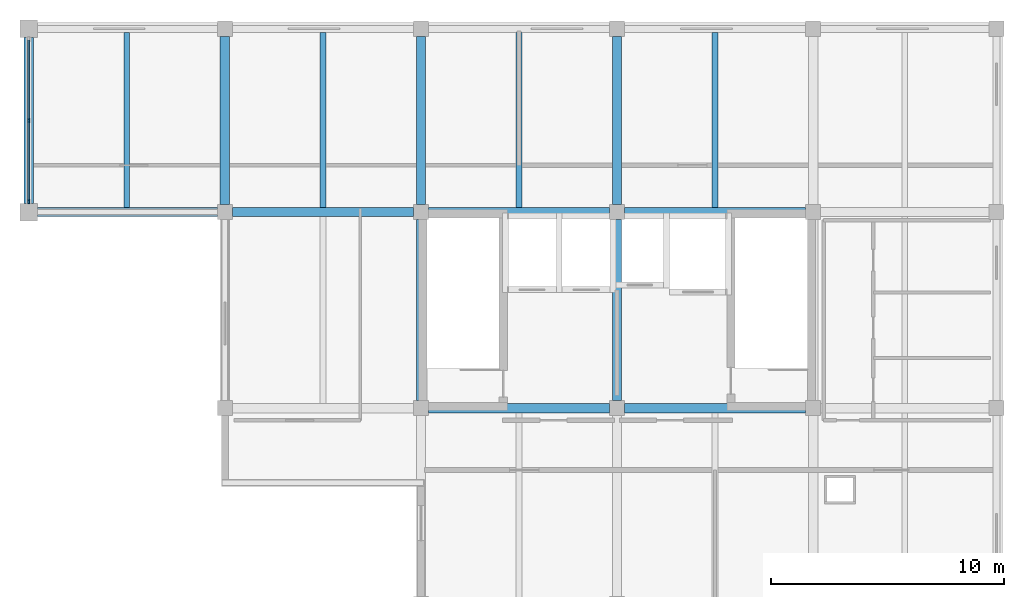
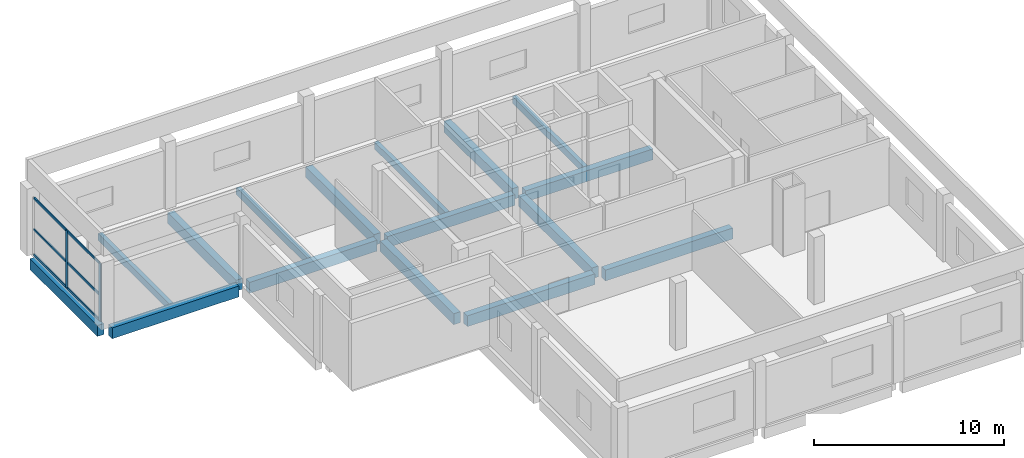
# One storey, part 2 of 8: 16 beams, 8 members, 1 element without a shape of its own.
"""IFC4 building model written with IfcOpenShell, lengths in metres."""

from ifc_helpers import new_model, si_unit, direction, frame, origin, origin_2d, place, context, subcontext, project, spatial, rectangle, extrude, material, material_profile, profile_set, type_object, element, aggregate, save


model = new_model("IFC4")

# Units and contexts
model_context = context("Model", 3, precision=1e-05, world=origin(), true_north=direction((0.0, 1.0)))
body_context = subcontext(model_context, "Body", "Model", "MODEL_VIEW")
ifc_project = project(units=[si_unit("LENGTHUNIT", "METRE"), si_unit("AREAUNIT", "SQUARE_METRE"), si_unit("VOLUMEUNIT", "CUBIC_METRE"), si_unit("PLANEANGLEUNIT", "RADIAN"), si_unit("MASSUNIT", "GRAM", prefix="KILO")], contexts=[model_context])

# Site, building, storey
site_placement = place(None, origin())
site = spatial("IfcSite", under=ifc_project, at=site_placement, CompositionType="ELEMENT")
building_placement = place(site_placement, origin())
building = spatial("IfcBuilding", under=site, at=building_placement, Name="Brinegate Botanical Conservatory", CompositionType="ELEMENT")
storey_placement = place(building_placement, frame((0.0, 0.0, 65.699951171875)))
storey = spatial("IfcBuildingStorey", under=building, at=storey_placement, Name="L16", CompositionType="ELEMENT", Elevation=65.699951171875)

# Beams
ifc_material_1 = material(Name="Concrete C40/50", Category="concrete")
ifc_material_profile_1 = material_profile(ifc_material_1, rectangle(XDim=0.39990234375, YDim=0.699951171875, at=origin_2d()), Name="RC BM 400x700")
ifc_profile_set_1 = profile_set([ifc_material_profile_1], Name="Concrete C40/50")
beam_type_1 = type_object("IfcBeamType", Name="Beam_BM-T2", PredefinedType="BEAM", material=ifc_profile_set_1)
for number, where, z_axis, x_axis, name in (
    (1, (139.125, 95.199951171875, -0.570068359375), (1.0, 0.0, 0.0), (0.0, 1.0, 0.0), "Beam BM-T2 L16 M:18-19"),
    (2, (147.52490234375, 95.199951171875, -0.570068359375), (1.0, 0.0, 0.0), (0.0, 1.0, 0.0), "Beam BM-T2 L16 M:19-20"),
):
    element("IfcBeam", number, at=place(storey_placement, frame(where, z_axis=z_axis, x_axis=x_axis)), inside=storey, type_object=beam_type_1, Name=name, PredefinedType="BEAM", context=body_context, shape_type="SweptSolid", body=[
        extrude(rectangle(XDim=0.39990234375, YDim=0.699951171875, at=origin_2d()), origin(), (0.0, 0.0, 1.0), 7.75),
    ])
beam_1_placement = place(storey_placement, frame((122.375, 103.60009765625, -0.570068359375), z_axis=(1.0, 0.0, 0.0), x_axis=(0.0, 1.0, 0.0)))
element("IfcBeam", 3, at=beam_1_placement, inside=storey, type_object=beam_type_1, Name="Beam BM-T2 L16 N:16-17", PredefinedType="BEAM", context=body_context, shape_type="SweptSolid", body=[
    extrude(rectangle(XDim=0.39990234375, YDim=0.699951171875, at=origin_2d()), origin(), (0.0, 0.0, 1.0), 7.699951171875),
])
for number, where, z_axis, x_axis, name in (
    (4, (130.72509765625, 103.60009765625, -0.570068359375), (1.0, 0.0, 0.0), (0.0, 1.0, 0.0), "Beam BM-T2 L16 N:17-18"),
    (5, (139.125, 103.60009765625, -0.570068359375), (1.0, 0.0, 0.0), (0.0, 1.0, 0.0), "Beam BM-T2 L16 N:18-19"),
    (6, (147.52490234375, 103.60009765625, -0.570068359375), (1.0, 0.0, 0.0), (0.0, 1.0, 0.0), "Beam BM-T2 L16 N:19-20"),
):
    element("IfcBeam", number, at=place(storey_placement, frame(where, z_axis=z_axis, x_axis=x_axis)), inside=storey, type_object=beam_type_1, Name=name, PredefinedType="BEAM", context=body_context, shape_type="SweptSolid", body=[
        extrude(rectangle(XDim=0.39990234375, YDim=0.699951171875, at=origin_2d()), origin(), (0.0, 0.0, 1.0), 7.75),
    ])
beam_2_placement = place(storey_placement, frame((122.0, 103.97509765625, -0.570068359375), z_axis=(0.0, 1.0, 0.0), x_axis=(-1.0, 0.0, 0.0)))
element("IfcBeam", 7, at=beam_2_placement, inside=storey, type_object=beam_type_1, Name="Beam BM-T2 L16 16:N-P", PredefinedType="BEAM", context=body_context, shape_type="SweptSolid", body=[
    extrude(rectangle(XDim=0.39990234375, YDim=0.699951171875, at=origin_2d()), origin(), (0.0, 0.0, 1.0), 7.099853515625),
])
beam_3_placement = place(storey_placement, frame((130.39990234375, 103.925048828125, -0.570068359375), z_axis=(0.0, 1.0, 0.0), x_axis=(-1.0, 0.0, 0.0)))
element("IfcBeam", 8, at=beam_3_placement, inside=storey, type_object=beam_type_1, Name="Beam BM-T2 L16 17:N-P", PredefinedType="BEAM", context=body_context, shape_type="SweptSolid", body=[
    extrude(rectangle(XDim=0.39990234375, YDim=0.699951171875, at=origin_2d()), origin(), (0.0, 0.0, 1.0), 7.199951171875),
])
beam_4_placement = place(storey_placement, frame((138.800048828125, 95.52490234375, -0.570068359375), z_axis=(0.0, 1.0, 0.0), x_axis=(-1.0, 0.0, 0.0)))
element("IfcBeam", 9, at=beam_4_placement, inside=storey, type_object=beam_type_1, Name="Beam BM-T2 L16 18:M-N", PredefinedType="BEAM", context=body_context, shape_type="SweptSolid", body=[
    extrude(rectangle(XDim=0.39990234375, YDim=0.699951171875, at=origin_2d()), origin(), (0.0, 0.0, 1.0), 7.75),
])
beam_5_placement = place(storey_placement, frame((138.800048828125, 103.925048828125, -0.570068359375), z_axis=(0.0, 1.0, 0.0), x_axis=(-1.0, 0.0, 0.0)))
element("IfcBeam", 10, at=beam_5_placement, inside=storey, type_object=beam_type_1, Name="Beam BM-T2 L16 18:N-P", PredefinedType="BEAM", context=body_context, shape_type="SweptSolid", body=[
    extrude(rectangle(XDim=0.39990234375, YDim=0.699951171875, at=origin_2d()), origin(), (0.0, 0.0, 1.0), 7.199951171875),
])
beam_6_placement = place(storey_placement, frame((147.199951171875, 95.52490234375, -0.570068359375), z_axis=(0.0, 1.0, 0.0), x_axis=(-1.0, 0.0, 0.0)))
element("IfcBeam", 11, at=beam_6_placement, inside=storey, type_object=beam_type_1, Name="Beam BM-T2 L16 19:M-N", PredefinedType="BEAM", context=body_context, shape_type="SweptSolid", body=[
    extrude(rectangle(XDim=0.39990234375, YDim=0.699951171875, at=origin_2d()), origin(), (0.0, 0.0, 1.0), 7.75),
])
beam_7_placement = place(storey_placement, frame((147.199951171875, 103.925048828125, -0.570068359375), z_axis=(0.0, 1.0, 0.0), x_axis=(-1.0, 0.0, 0.0)))
element("IfcBeam", 12, at=beam_7_placement, inside=storey, type_object=beam_type_1, Name="Beam BM-T2 L16 19:N-P", PredefinedType="BEAM", context=body_context, shape_type="SweptSolid", body=[
    extrude(rectangle(XDim=0.39990234375, YDim=0.699951171875, at=origin_2d()), origin(), (0.0, 0.0, 1.0), 7.199951171875),
])
ifc_material_profile_2 = material_profile(ifc_material_1, rectangle(XDim=0.25, YDim=0.449951171875, at=origin_2d()), Name="RC JST 250x450")
ifc_profile_set_2 = profile_set([ifc_material_profile_2], Name="Concrete C40/50")
beam_type_2 = type_object("IfcBeamType", Name="Beam_JS-C3", PredefinedType="JOIST", material=ifc_profile_set_2)
for number, where, z_axis, x_axis, name in (
    (13, (126.199951171875, 103.800048828125, -0.445068359375), (0.0, 1.0, 0.0), (-1.0, 0.0, 0.0), "Floor joist JS-C3 L16 bay 16.13"),
    (14, (134.60009765625, 103.800048828125, -0.445068359375), (0.0, 1.0, 0.0), (-1.0, 0.0, 0.0), "Floor joist JS-C3 L16 bay 17.13"),
    (15, (143.0, 103.800048828125, -0.445068359375), (0.0, 1.0, 0.0), (-1.0, 0.0, 0.0), "Floor joist JS-C3 L16 bay 18.13"),
    (16, (151.39990234375, 103.800048828125, -0.445068359375), (0.0, 1.0, 0.0), (-1.0, 0.0, 0.0), "Floor joist JS-C3 L16 bay 19.13"),
):
    element("IfcBeam", number, at=place(storey_placement, frame(where, z_axis=z_axis, x_axis=x_axis)), inside=storey, type_object=beam_type_2, Name=name, PredefinedType="JOIST", context=body_context, shape_type="SweptSolid", body=[
        extrude(rectangle(XDim=0.25, YDim=0.449951171875, at=origin_2d()), origin(), (0.0, 0.0, 1.0), 7.5),
    ])

# Curtain wall, members
ifc_material_2 = material(Name="Thermally broken anodised aluminium AW-6063-T6", Category="aluminium")
curtain_wall_type = type_object("IfcCurtainWallType", Name="CW_CW-TW1", PredefinedType="USERDEFINED", material=ifc_material_2)
curtain_wall_placement = place(storey_placement, origin())
curtain_wall = element("IfcCurtainWall", 17, at=curtain_wall_placement, inside=storey, type_object=curtain_wall_type, Name="Tower north-west curtain wall L16", ObjectType="FACTORY CURTAIN WALL", PredefinedType="USERDEFINED")
ifc_material_profile_3 = material_profile(ifc_material_2, rectangle(XDim=0.070068359375, YDim=0.199951171875, at=origin_2d()), Name="ALUM MULLION 70x200")
ifc_profile_set_3 = profile_set([ifc_material_profile_3], Name="Thermally broken anodised aluminium AW-6063-T6")
member_type_1 = type_object("IfcMemberType", Name="Member_ML-03", PredefinedType="MULLION", material=ifc_profile_set_3)
member_1_placement = place(storey_placement, frame((122.0, 104.050048828125, 0.0), z_axis=(0.0, 0.0, 1.0), x_axis=(-1.0, 0.0, 0.0)))
member_1 = element("IfcMember", 18, at=member_1_placement, type_object=member_type_1, Name="CW-TW1 mullion 1", PredefinedType="MULLION", context=body_context, shape_type="SweptSolid", body=[
    extrude(rectangle(XDim=0.070068359375, YDim=0.199951171875, at=origin_2d()), origin(), (0.0, 0.0, 1.0), 3.699951171875),
])
member_2_placement = place(storey_placement, frame((122.0, 107.52490234375, 0.0), z_axis=(0.0, 0.0, 1.0), x_axis=(-1.0, 0.0, 0.0)))
member_2 = element("IfcMember", 19, at=member_2_placement, type_object=member_type_1, Name="CW-TW1 mullion 2", PredefinedType="MULLION", context=body_context, shape_type="SweptSolid", body=[
    extrude(rectangle(XDim=0.070068359375, YDim=0.199951171875, at=origin_2d()), origin(), (0.0, 0.0, 1.0), 3.699951171875),
])
ifc_material_profile_4 = material_profile(ifc_material_2, rectangle(XDim=0.070068359375, YDim=0.14990234375, at=origin_2d()), Name="ALUM TRANSOM 70x150")
ifc_profile_set_4 = profile_set([ifc_material_profile_4], Name="Thermally broken anodised aluminium AW-6063-T6")
member_type_2 = type_object("IfcMemberType", Name="Member_TR-03", PredefinedType="USERDEFINED", material=ifc_profile_set_4)
member_3_placement = place(storey_placement, frame((122.0, 104.0849609375, 0.03515625), z_axis=(0.0, 1.0, 0.0), x_axis=(-1.0, 0.0, 0.0)))
member_3 = element("IfcMember", 20, at=member_3_placement, type_object=member_type_2, Name="CW-TW1 transom 1.1", ObjectType="TRANSOM", PredefinedType="USERDEFINED", context=body_context, shape_type="SweptSolid", body=[
    extrude(rectangle(XDim=0.070068359375, YDim=0.14990234375, at=origin_2d()), origin(), (0.0, 0.0, 1.0), 3.405029296875),
])
member_4_placement = place(storey_placement, frame((122.0, 104.0849609375, 1.6650390625), z_axis=(0.0, 1.0, 0.0), x_axis=(-1.0, 0.0, 0.0)))
member_4 = element("IfcMember", 21, at=member_4_placement, type_object=member_type_2, Name="CW-TW1 transom 1.2", ObjectType="TRANSOM", PredefinedType="USERDEFINED", context=body_context, shape_type="SweptSolid", body=[
    extrude(rectangle(XDim=0.070068359375, YDim=0.14990234375, at=origin_2d()), origin(), (0.0, 0.0, 1.0), 3.405029296875),
])
member_5_placement = place(storey_placement, frame((122.0, 104.0849609375, 3.6650390625), z_axis=(0.0, 1.0, 0.0), x_axis=(-1.0, 0.0, 0.0)))
member_5 = element("IfcMember", 22, at=member_5_placement, type_object=member_type_2, Name="CW-TW1 transom 1.3", ObjectType="TRANSOM", PredefinedType="USERDEFINED", context=body_context, shape_type="SweptSolid", body=[
    extrude(rectangle(XDim=0.070068359375, YDim=0.14990234375, at=origin_2d()), origin(), (0.0, 0.0, 1.0), 3.405029296875),
])
member_6_placement = place(storey_placement, frame((122.0, 107.56005859375, 0.03515625), z_axis=(0.0, 1.0, 0.0), x_axis=(-1.0, 0.0, 0.0)))
member_6 = element("IfcMember", 23, at=member_6_placement, type_object=member_type_2, Name="CW-TW1 transom 2.1", ObjectType="TRANSOM", PredefinedType="USERDEFINED", context=body_context, shape_type="SweptSolid", body=[
    extrude(rectangle(XDim=0.070068359375, YDim=0.14990234375, at=origin_2d()), origin(), (0.0, 0.0, 1.0), 3.405029296875),
])
member_7_placement = place(storey_placement, frame((122.0, 107.56005859375, 1.6650390625), z_axis=(0.0, 1.0, 0.0), x_axis=(-1.0, 0.0, 0.0)))
member_7 = element("IfcMember", 24, at=member_7_placement, type_object=member_type_2, Name="CW-TW1 transom 2.2", ObjectType="TRANSOM", PredefinedType="USERDEFINED", context=body_context, shape_type="SweptSolid", body=[
    extrude(rectangle(XDim=0.070068359375, YDim=0.14990234375, at=origin_2d()), origin(), (0.0, 0.0, 1.0), 3.405029296875),
])
member_8_placement = place(storey_placement, frame((122.0, 107.56005859375, 3.6650390625), z_axis=(0.0, 1.0, 0.0), x_axis=(-1.0, 0.0, 0.0)))
member_8 = element("IfcMember", 25, at=member_8_placement, type_object=member_type_2, Name="CW-TW1 transom 2.3", ObjectType="TRANSOM", PredefinedType="USERDEFINED", context=body_context, shape_type="SweptSolid", body=[
    extrude(rectangle(XDim=0.070068359375, YDim=0.14990234375, at=origin_2d()), origin(), (0.0, 0.0, 1.0), 3.405029296875),
])
aggregate(curtain_wall, [member_1, member_2, member_3, member_4, member_5, member_6, member_7, member_8])

save(model, "model.ifc")
